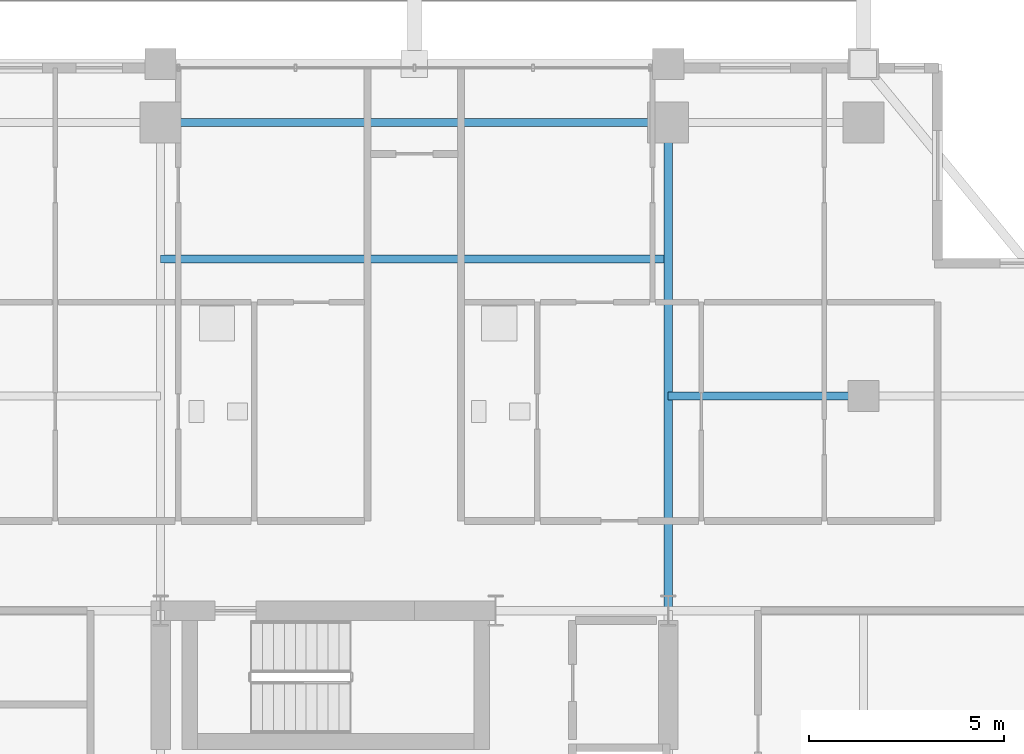
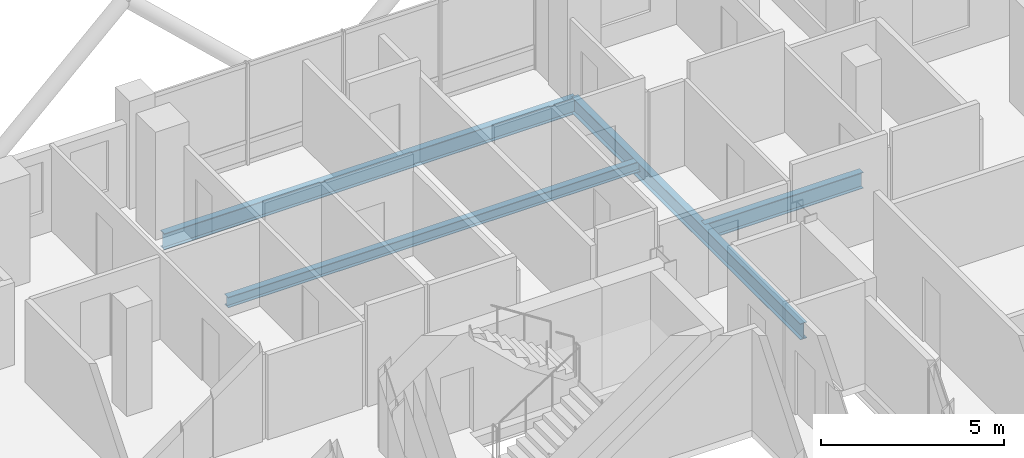
# One storey, part 16 of 26: 4 beams.
"""IFC4 building model written with IfcOpenShell, lengths in metres."""

from ifc_helpers import new_model, si_unit, direction, frame, origin, origin_2d, place, context, subcontext, project, spatial, i_section, extrude, material, material_profile, profile_set, type_object, element, save


model = new_model("IFC4")

# Units and contexts
model_context = context("Model", 3, precision=1e-05, world=origin(), true_north=direction((0.0, 1.0)))
body_context = subcontext(model_context, "Body", "Model", "MODEL_VIEW")
ifc_project = project(units=[si_unit("LENGTHUNIT", "METRE"), si_unit("AREAUNIT", "SQUARE_METRE"), si_unit("VOLUMEUNIT", "CUBIC_METRE"), si_unit("PLANEANGLEUNIT", "RADIAN"), si_unit("MASSUNIT", "GRAM", prefix="KILO")], contexts=[model_context])

# Site, building, storey
site_placement = place(None, origin())
site = spatial("IfcSite", under=ifc_project, at=site_placement, CompositionType="ELEMENT")
building_placement = place(site_placement, origin())
building = spatial("IfcBuilding", under=site, at=building_placement, Name="Barlavira Tower and Art Museum", CompositionType="ELEMENT")
storey_placement = place(building_placement, frame((0.0, 0.0, 198.0)))
storey = spatial("IfcBuildingStorey", under=building, at=storey_placement, Name="L51", CompositionType="ELEMENT", Elevation=198.0)

# Beams
ifc_material = material(Name="Steel S355", Category="steel")
ifc_material_profile_1 = material_profile(ifc_material, i_section(OverallWidth=0.205078125, OverallDepth=0.35400390625, WebThickness=0.009521484375, FlangeThickness=0.016845703125, at=origin_2d()), Name="W360x79.0")
ifc_profile_set_1 = profile_set([ifc_material_profile_1], Name="Steel S355")
beam_type_1 = type_object("IfcBeamType", Name="Zone 3 Composite Floor Joist W360x79 Steel S355", PredefinedType="JOIST", material=ifc_profile_set_1)
beam_1_placement = place(storey_placement, frame((-6.5, 16.5, -0.39697265625), z_axis=(1.0, 0.0, 0.0), x_axis=(0.0, 1.0, 0.0)))
element("IfcBeam", 1, at=beam_1_placement, inside=storey, type_object=beam_type_1, Name="L51 Joist C2", PredefinedType="JOIST", context=body_context, shape_type="SweptSolid", body=[
    extrude(i_section(OverallWidth=0.205078125, OverallDepth=0.35400390625, WebThickness=0.009521484375, FlangeThickness=0.016845703125, at=origin_2d()), origin(), (0.0, 0.0, 1.0), 13.0),
])
ifc_material_profile_2 = material_profile(ifc_material, i_section(OverallWidth=0.2109375, OverallDepth=0.5390625, WebThickness=0.01171875, FlangeThickness=0.018798828125, at=origin_2d()), Name="W530x109.0")
ifc_profile_set_2 = profile_set([ifc_material_profile_2], Name="Steel S355")
beam_type_2 = type_object("IfcBeamType", Name="Zone 3-4 Primary Floor Girder W530x109 Steel S355", PredefinedType="BEAM", material=ifc_profile_set_2)
beam_2_placement = place(storey_placement, frame((-6.5, 20.0, -0.489501953125), z_axis=(1.0, 0.0, 0.0), x_axis=(0.0, 1.0, 0.0)))
element("IfcBeam", 2, at=beam_2_placement, inside=storey, type_object=beam_type_2, Name="L51 Girder M-N2", PredefinedType="BEAM", context=body_context, shape_type="SweptSolid", body=[
    extrude(i_section(OverallWidth=0.2109375, OverallDepth=0.5390625, WebThickness=0.01171875, FlangeThickness=0.018798828125, at=origin_2d()), origin(), (0.0, 0.0, 1.0), 13.0),
])
beam_3_placement = place(storey_placement, frame((6.5, 7.5, -0.489501953125), z_axis=(0.0, 1.0, 0.0), x_axis=(-1.0, 0.0, 0.0)))
element("IfcBeam", 3, at=beam_3_placement, inside=storey, type_object=beam_type_2, Name="L51 Girder R-N2", PredefinedType="BEAM", context=body_context, shape_type="SweptSolid", body=[
    extrude(i_section(OverallWidth=0.2109375, OverallDepth=0.5390625, WebThickness=0.01171875, FlangeThickness=0.018798828125, at=origin_2d()), origin(), (0.0, 0.0, 1.0), 12.5),
])
beam_4_placement = place(storey_placement, frame((6.5, 13.0, -0.489501953125), z_axis=(1.0, 0.0, 0.0), x_axis=(0.0, 1.0, 0.0)))
element("IfcBeam", 4, at=beam_4_placement, inside=storey, type_object=beam_type_2, Name="L51 Girder I-N3", PredefinedType="BEAM", context=body_context, shape_type="SweptSolid", body=[
    extrude(i_section(OverallWidth=0.2109375, OverallDepth=0.5390625, WebThickness=0.01171875, FlangeThickness=0.018798828125, at=origin_2d()), origin(), (0.0, 0.0, 1.0), 5.0),
])

save(model, "model.ifc")
